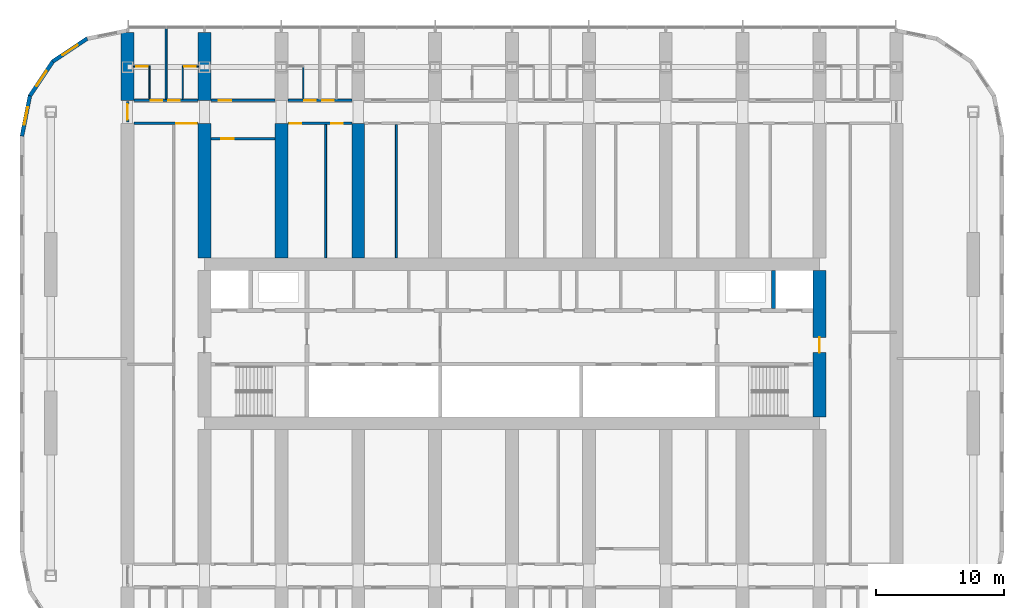
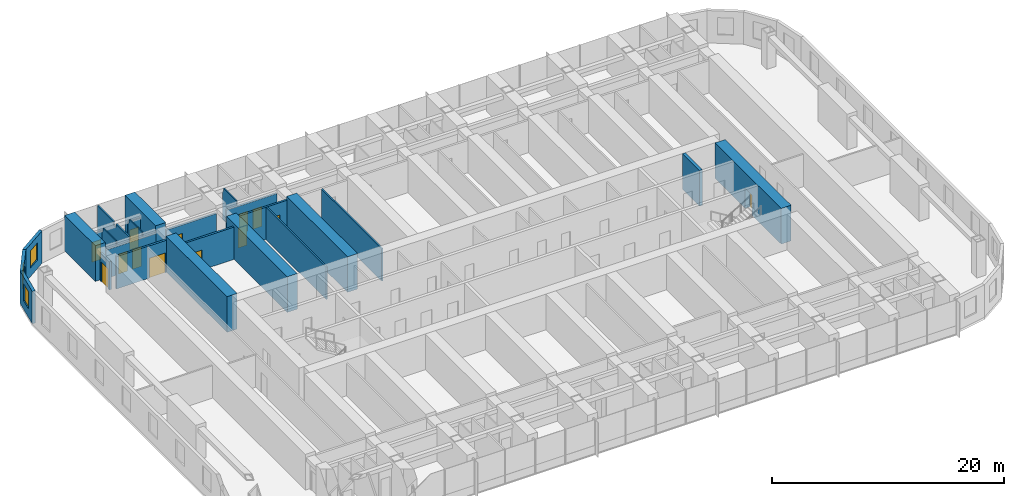
# One storey, part 14 of 23: 25 walls, 13 doors, 3 windows, 16 openings.
"""IFC4 building model written with IfcOpenShell, lengths in metres."""

from ifc_helpers import new_model, si_unit, direction, frame, frame_2d, origin, place, context, subcontext, project, spatial, polyline, rectangle, outline, extrude, material, layer, layer_set, type_object, element, fill, save


model = new_model("IFC4")

# Units and contexts
model_context = context("Model", 3, precision=1e-05, world=origin(), true_north=direction((0.0, 1.0)))
body_context = subcontext(model_context, "Body", "Model", "MODEL_VIEW")
ifc_project = project(units=[si_unit("LENGTHUNIT", "METRE"), si_unit("AREAUNIT", "SQUARE_METRE"), si_unit("VOLUMEUNIT", "CUBIC_METRE"), si_unit("PLANEANGLEUNIT", "RADIAN"), si_unit("MASSUNIT", "GRAM", prefix="KILO")], contexts=[model_context])

# Site, building, storey
site_placement = place(None, origin())
site = spatial("IfcSite", under=ifc_project, at=site_placement, CompositionType="ELEMENT")
building_placement = place(site_placement, origin())
building = spatial("IfcBuilding", under=site, at=building_placement, Name="Orbita Commons", CompositionType="ELEMENT")
storey_placement = place(building_placement, frame((0.0, 0.0, 65.199951171875)))
storey = spatial("IfcBuildingStorey", under=building, at=storey_placement, Name="L16", CompositionType="ELEMENT", Elevation=65.199951171875)

# Wall
ifc_material_1 = material(Name="Concrete C50/60", Category="concrete")
ifc_layer_1 = layer(ifc_material_1, 0.300048828125)
ifc_layer_set_1 = layer_set([ifc_layer_1], Name="Concrete C50/60")
wall_type_1 = type_object("IfcWallType", Name="Core inner wall 300 C50/60", PredefinedType="SHEAR", material=ifc_layer_set_1)
wall_1_placement = place(storey_placement, frame((62.39990234375, 34.75, 0.0), z_axis=(0.0, 0.0, 1.0), x_axis=(0.0, 1.0, 0.0)))
element("IfcWall", 1, at=wall_1_placement, inside=storey, type_object=wall_type_1, Name="Firefighting lift FL2 shaft wall L16", PredefinedType="SHEAR", context=body_context, shape_type="SweptSolid", body=[
    extrude(rectangle(XDim=2.949951171875, YDim=0.300048828125, at=frame_2d((1.47509765625, 0.0))), origin(), (0.0, 0.0, 1.0), 3.75),
])

# Wall, opening, door
ifc_material_2 = material(Name="Concrete C50/60", Category="concrete")
ifc_layer_2 = layer(ifc_material_2, 1.0)
ifc_layer_set_2 = layer_set([ifc_layer_2], Name="Concrete C50/60")
wall_type_2 = type_object("IfcWallType", Name="Core wall 1000 C50/60", PredefinedType="SHEAR", material=ifc_layer_set_2)
wall_2_placement = place(storey_placement, frame((66.0, 26.300048828125, 0.0), z_axis=(0.0, 0.0, 1.0), x_axis=(0.0, 1.0, 0.0)))
wall_2 = element("IfcWall", 2, at=wall_2_placement, inside=storey, type_object=wall_type_2, Name="Core end wall east L16", PredefinedType="SHEAR", context=body_context, shape_type="SweptSolid", body=[
    extrude(rectangle(XDim=11.39990234375, YDim=1.0, at=frame_2d((5.699951171875, 0.0))), origin(), (0.0, 0.0, 1.0), 3.75),
])
opening_1_placement = place(wall_2_placement, frame((5.0, 0.0, 0.0)))
opening_1 = element("IfcOpeningElement", 3, at=opening_1_placement, cuts=wall_2, Name="Opening D01", PredefinedType="OPENING", context=body_context, shape_type="SweptSolid", body=[
    extrude(rectangle(XDim=1.199951171875, YDim=2.10009765625, at=frame_2d((0.60009765625, 1.050048828125))), frame((0.0, 0.510009765625, 0.0), z_axis=(0.0, -1.0, 0.0), x_axis=(1.0, 0.0, 0.0)), (0.0, 0.0, 1.0), 1.02001953125),
])
ifc_material_3 = material(Name="Steel-faced fire door leaf", Category="steel")
door_type_1 = type_object("IfcDoorType", Name="Fire door 90 min 1200x2100", OperationType="SINGLE_SWING_LEFT", PredefinedType="DOOR", material=ifc_material_3)
door_1_placement = place(opening_1_placement, origin())
door_1 = element("IfcDoor", 4, at=door_1_placement, inside=storey, type_object=door_type_1, Name="Firefighting lobby east door", OperationType="SINGLE_SWING_LEFT", OverallHeight=2.10009765625, OverallWidth=1.199951171875, PredefinedType="DOOR", context=body_context, shape_type="SweptSolid", body=[
    extrude(rectangle(XDim=1.199951171875, YDim=2.10009765625, at=frame_2d((0.60009765625, 1.050048828125))), frame((0.0, 0.02490234375, 0.0), z_axis=(0.0, -1.0, 0.0), x_axis=(1.0, 0.0, 0.0)), (0.0, 0.0, 1.0), 0.050048828125),
])
fill(opening_1, door_1)

# Wall, openings, doors
ifc_material_4 = material(Name="Concrete blockwork", Category="masonry")
ifc_layer_3 = layer(ifc_material_4, 0.199951171875)
ifc_layer_set_3 = layer_set([ifc_layer_3], Name="Concrete blockwork")
wall_type_3 = type_object("IfcWallType", Name="Corridor wall 200 blockwork", PredefinedType="SOLIDWALL", material=ifc_layer_set_3)
wall_3_placement = place(storey_placement, frame((12.5, 51.0, 0.0), z_axis=(0.0, 0.0, 1.0), x_axis=(1.0, 0.0, 0.0)))
wall_3 = element("IfcWall", 5, at=wall_3_placement, inside=storey, type_object=wall_type_3, Name="Corridor wall 200 blockwork L16", PredefinedType="SOLIDWALL", context=body_context, shape_type="SweptSolid", body=[
    extrude(outline(polyline([(0.0, 0.0), (5.0, 0.0), (5.0, 3.0), (0.0, 3.0), (0.0, 0.0)])), frame((0.0, 0.10009765625, 0.0), z_axis=(0.0, -1.0, 0.0), x_axis=(1.0, 0.0, 0.0)), (0.0, 0.0, 1.0), 0.199951171875),
])
opening_2_placement = place(wall_3_placement, frame((1.300048828125, 0.0, 0.0)))
opening_2 = element("IfcOpeningElement", 6, at=opening_2_placement, cuts=wall_3, Name="Opening D11", PredefinedType="OPENING", context=body_context, shape_type="SweptSolid", body=[
    extrude(rectangle(XDim=0.89990234375, YDim=2.10009765625, at=frame_2d((0.449951171875, 1.050048828125))), frame((0.0, 0.10986328125, 0.0), z_axis=(0.0, -1.0, 0.0), x_axis=(1.0, 0.0, 0.0)), (0.0, 0.0, 1.0), 0.219970703125),
])
opening_3_placement = place(wall_3_placement, frame((2.675048828125, 0.0, 0.0)))
opening_3 = element("IfcOpeningElement", 7, at=opening_3_placement, cuts=wall_3, Name="Opening D11", PredefinedType="OPENING", context=body_context, shape_type="SweptSolid", body=[
    extrude(rectangle(XDim=0.89990234375, YDim=2.10009765625, at=frame_2d((0.449951171875, 1.050048828125))), frame((0.0, 0.10986328125, 0.0), z_axis=(0.0, -1.0, 0.0), x_axis=(1.0, 0.0, 0.0)), (0.0, 0.0, 1.0), 0.219970703125),
])
ifc_material_5 = material(Name="Steel-faced fire door leaf", Category="steel")
door_type_2 = type_object("IfcDoorType", Name="Corridor door 20 min 900x2100", OperationType="SINGLE_SWING_LEFT", PredefinedType="DOOR", material=ifc_material_5)
door_2_placement = place(opening_2_placement, origin())
door_2 = element("IfcDoor", 8, at=door_2_placement, inside=storey, type_object=door_type_2, Name="House bedroom L16-N00 door", OperationType="SINGLE_SWING_LEFT", OverallHeight=2.10009765625, OverallWidth=0.89990234375, PredefinedType="DOOR", context=body_context, shape_type="SweptSolid", body=[
    extrude(rectangle(XDim=0.89990234375, YDim=2.10009765625, at=frame_2d((0.449951171875, 1.050048828125))), frame((0.0, 0.02490234375, 0.0), z_axis=(0.0, -1.0, 0.0), x_axis=(1.0, 0.0, 0.0)), (0.0, 0.0, 1.0), 0.050048828125),
])
fill(opening_2, door_2)
door_3_placement = place(opening_3_placement, origin())
door_3 = element("IfcDoor", 9, at=door_3_placement, inside=storey, type_object=door_type_2, Name="House bedroom L16-N01 door", OperationType="SINGLE_SWING_LEFT", OverallHeight=2.10009765625, OverallWidth=0.89990234375, PredefinedType="DOOR", context=body_context, shape_type="SweptSolid", body=[
    extrude(rectangle(XDim=0.89990234375, YDim=2.10009765625, at=frame_2d((0.449951171875, 1.050048828125))), frame((0.0, 0.02490234375, 0.0), z_axis=(0.0, -1.0, 0.0), x_axis=(1.0, 0.0, 0.0)), (0.0, 0.0, 1.0), 0.050048828125),
])
fill(opening_3, door_3)

# Wall, opening, door
wall_4_placement = place(storey_placement, frame((18.5, 51.0, 0.0), z_axis=(0.0, 0.0, 1.0), x_axis=(1.0, 0.0, 0.0)))
wall_4 = element("IfcWall", 10, at=wall_4_placement, inside=storey, type_object=wall_type_3, Name="Corridor wall 200 blockwork L16", PredefinedType="SOLIDWALL", context=body_context, shape_type="SweptSolid", body=[
    extrude(outline(polyline([(0.0, 0.0), (5.0, 0.0), (5.0, 3.0), (0.0, 3.0), (0.0, 0.0)])), frame((0.0, 0.10009765625, 0.0), z_axis=(0.0, -1.0, 0.0), x_axis=(1.0, 0.0, 0.0)), (0.0, 0.0, 1.0), 0.199951171875),
])
opening_4_placement = place(wall_4_placement, frame((0.60009765625, 0.0, 0.0)))
opening_4 = element("IfcOpeningElement", 11, at=opening_4_placement, cuts=wall_4, Name="Opening D06", PredefinedType="OPENING", context=body_context, shape_type="SweptSolid", body=[
    extrude(rectangle(XDim=1.0, YDim=2.10009765625, at=frame_2d((0.5, 1.050048828125))), frame((0.0, 0.10986328125, 0.0), z_axis=(0.0, -1.0, 0.0), x_axis=(1.0, 0.0, 0.0)), (0.0, 0.0, 1.0), 0.219970703125),
])
ifc_material_6 = material(Name="Steel-faced fire door leaf", Category="steel")
door_type_3 = type_object("IfcDoorType", Name="Corridor door 20 min 1000x2100", OperationType="SINGLE_SWING_LEFT", PredefinedType="DOOR", material=ifc_material_6)
door_4_placement = place(opening_4_placement, origin())
door_4 = element("IfcDoor", 12, at=door_4_placement, inside=storey, type_object=door_type_3, Name="House common room L16-N02 door", OperationType="SINGLE_SWING_LEFT", OverallHeight=2.10009765625, OverallWidth=1.0, PredefinedType="DOOR", context=body_context, shape_type="SweptSolid", body=[
    extrude(rectangle(XDim=1.0, YDim=2.10009765625, at=frame_2d((0.5, 1.050048828125))), frame((0.0, 0.02490234375, 0.0), z_axis=(0.0, -1.0, 0.0), x_axis=(1.0, 0.0, 0.0)), (0.0, 0.0, 1.0), 0.050048828125),
])
fill(opening_4, door_4)

# Wall, openings, doors
wall_5_placement = place(storey_placement, frame((24.5, 51.0, 0.0), z_axis=(0.0, 0.0, 1.0), x_axis=(1.0, 0.0, 0.0)))
wall_5 = element("IfcWall", 13, at=wall_5_placement, inside=storey, type_object=wall_type_3, Name="Corridor wall 200 blockwork L16", PredefinedType="SOLIDWALL", context=body_context, shape_type="SweptSolid", body=[
    extrude(outline(polyline([(0.0, 0.0), (5.0, 0.0), (5.0, 3.0), (0.0, 3.0), (0.0, 0.0)])), frame((0.0, 0.10009765625, 0.0), z_axis=(0.0, -1.0, 0.0), x_axis=(1.0, 0.0, 0.0)), (0.0, 0.0, 1.0), 0.199951171875),
])
opening_5_placement = place(wall_5_placement, frame((1.300048828125, 0.0, 0.0)))
opening_5 = element("IfcOpeningElement", 14, at=opening_5_placement, cuts=wall_5, Name="Opening D11", PredefinedType="OPENING", context=body_context, shape_type="SweptSolid", body=[
    extrude(rectangle(XDim=0.89990234375, YDim=2.10009765625, at=frame_2d((0.449951171875, 1.050048828125))), frame((0.0, 0.10986328125, 0.0), z_axis=(0.0, -1.0, 0.0), x_axis=(1.0, 0.0, 0.0)), (0.0, 0.0, 1.0), 0.219970703125),
])
opening_6_placement = place(wall_5_placement, frame((2.675048828125, 0.0, 0.0)))
opening_6 = element("IfcOpeningElement", 15, at=opening_6_placement, cuts=wall_5, Name="Opening D11", PredefinedType="OPENING", context=body_context, shape_type="SweptSolid", body=[
    extrude(rectangle(XDim=0.89990234375, YDim=2.10009765625, at=frame_2d((0.449951171875, 1.050048828125))), frame((0.0, 0.10986328125, 0.0), z_axis=(0.0, -1.0, 0.0), x_axis=(1.0, 0.0, 0.0)), (0.0, 0.0, 1.0), 0.219970703125),
])
door_5_placement = place(opening_5_placement, origin())
door_5 = element("IfcDoor", 16, at=door_5_placement, inside=storey, type_object=door_type_2, Name="House bedroom L16-N04 door", OperationType="SINGLE_SWING_LEFT", OverallHeight=2.10009765625, OverallWidth=0.89990234375, PredefinedType="DOOR", context=body_context, shape_type="SweptSolid", body=[
    extrude(rectangle(XDim=0.89990234375, YDim=2.10009765625, at=frame_2d((0.449951171875, 1.050048828125))), frame((0.0, 0.02490234375, 0.0), z_axis=(0.0, -1.0, 0.0), x_axis=(1.0, 0.0, 0.0)), (0.0, 0.0, 1.0), 0.050048828125),
])
fill(opening_5, door_5)
door_6_placement = place(opening_6_placement, origin())
door_6 = element("IfcDoor", 17, at=door_6_placement, inside=storey, type_object=door_type_2, Name="House bedroom L16-N05 door", OperationType="SINGLE_SWING_LEFT", OverallHeight=2.10009765625, OverallWidth=0.89990234375, PredefinedType="DOOR", context=body_context, shape_type="SweptSolid", body=[
    extrude(rectangle(XDim=0.89990234375, YDim=2.10009765625, at=frame_2d((0.449951171875, 1.050048828125))), frame((0.0, 0.02490234375, 0.0), z_axis=(0.0, -1.0, 0.0), x_axis=(1.0, 0.0, 0.0)), (0.0, 0.0, 1.0), 0.050048828125),
])
fill(opening_6, door_6)

# Wall, opening, door
wall_6_placement = place(storey_placement, frame((12.0, 49.300048828125, 0.0), z_axis=(0.0, 0.0, 1.0), x_axis=(0.0, 1.0, 0.0)))
wall_6 = element("IfcWall", 18, at=wall_6_placement, inside=storey, type_object=wall_type_3, Name="Corridor wall 200 blockwork L16", PredefinedType="SOLIDWALL", context=body_context, shape_type="SweptSolid", body=[
    extrude(outline(polyline([(0.0, 0.0), (1.599853515625, 0.0), (1.60009765625, 2.949951171875), (0.0, 2.949951171875), (0.0, 0.0)])), frame((0.0, 0.10009765625, 0.0), z_axis=(0.0, -1.0, 0.0), x_axis=(1.0, 0.0, 0.0)), (0.0, 0.0, 1.0), 0.199951171875),
])
opening_7_placement = place(wall_6_placement, frame((0.199951171875, 0.0, 0.0)))
opening_7 = element("IfcOpeningElement", 19, at=opening_7_placement, cuts=wall_6, Name="Opening D12", PredefinedType="OPENING", context=body_context, shape_type="SweptSolid", body=[
    extrude(rectangle(XDim=1.199951171875, YDim=2.10009765625, at=frame_2d((0.60009765625, 1.050048828125))), frame((0.0, 0.10986328125, 0.0), z_axis=(0.0, -1.0, 0.0), x_axis=(1.0, 0.0, 0.0)), (0.0, 0.0, 1.0), 0.219970703125),
])
ifc_material_7 = material(Name="Steel-faced fire door leaf", Category="steel")
door_type_4 = type_object("IfcDoorType", Name="Double corridor door 20 min 1200x2100", OperationType="DOUBLE_DOOR_SINGLE_SWING", PredefinedType="DOOR", material=ifc_material_7)
door_7_placement = place(opening_7_placement, origin())
door_7 = element("IfcDoor", 20, at=door_7_placement, inside=storey, type_object=door_type_4, Name="Lounge doors", OperationType="DOUBLE_DOOR_SINGLE_SWING", OverallHeight=2.10009765625, OverallWidth=1.199951171875, PredefinedType="DOOR", context=body_context, shape_type="SweptSolid", body=[
    extrude(rectangle(XDim=1.199951171875, YDim=2.10009765625, at=frame_2d((0.60009765625, 1.050048828125))), frame((0.0, 0.02490234375, 0.0), z_axis=(0.0, -1.0, 0.0), x_axis=(1.0, 0.0, 0.0)), (0.0, 0.0, 1.0), 0.050048828125),
])
fill(opening_7, door_7)

ifc_material_8 = material(Name="Hollow concrete block 200", Category="concrete")
ifc_layer_4 = layer(ifc_material_8, 0.199951171875)
ifc_layer_set_4 = layer_set([ifc_layer_4], Name="Hollow concrete block 200")
wall_type_4 = type_object("IfcWallType", Name="Corridor wall 200 hollow concrete block", PredefinedType="SOLIDWALL", material=ifc_layer_set_4)
wall_7_placement = place(storey_placement, frame((12.5, 49.199951171875, 0.0), z_axis=(0.0, 0.0, 1.0), x_axis=(1.0, 0.0, 0.0)))
wall_7 = element("IfcWall", 21, at=wall_7_placement, inside=storey, type_object=wall_type_4, Name="Corridor wall 200 hollow concrete block L16", PredefinedType="SOLIDWALL", context=body_context, shape_type="SweptSolid", body=[
    extrude(rectangle(XDim=5.0, YDim=0.199951171875, at=frame_2d((2.5, 0.0))), origin(), (0.0, 0.0, 1.0), 3.400146484375),
])
opening_8_placement = place(wall_7_placement, frame((3.300048828125, 0.0, 0.0)))
opening_8 = element("IfcOpeningElement", 22, at=opening_8_placement, cuts=wall_7, Name="Opening D10", PredefinedType="OPENING", context=body_context, shape_type="SweptSolid", body=[
    extrude(rectangle(XDim=1.60009765625, YDim=2.10009765625, at=frame_2d((0.800048828125, 1.050048828125))), frame((0.0, 0.10986328125, 0.0), z_axis=(0.0, -1.0, 0.0), x_axis=(1.0, 0.0, 0.0)), (0.0, 0.0, 1.0), 0.219970703125),
])
ifc_material_9 = material(Name="Steel-faced fire door leaf", Category="steel")
door_type_5 = type_object("IfcDoorType", Name="Double corridor door 20 min 1600x2100", OperationType="DOUBLE_DOOR_SINGLE_SWING", PredefinedType="DOOR", material=ifc_material_9)
door_8_placement = place(opening_8_placement, origin())
door_8 = element("IfcDoor", 23, at=door_8_placement, inside=storey, type_object=door_type_5, Name="Cross corridor doors", OperationType="DOUBLE_DOOR_SINGLE_SWING", OverallHeight=2.10009765625, OverallWidth=1.60009765625, PredefinedType="DOOR", context=body_context, shape_type="SweptSolid", body=[
    extrude(rectangle(XDim=1.60009765625, YDim=2.10009765625, at=frame_2d((0.800048828125, 1.050048828125))), frame((0.0, 0.02490234375, 0.0), z_axis=(0.0, -1.0, 0.0), x_axis=(1.0, 0.0, 0.0)), (0.0, 0.0, 1.0), 0.050048828125),
])
fill(opening_8, door_8)

# Wall, openings, doors
wall_8_placement = place(storey_placement, frame((24.5, 49.199951171875, 0.0), z_axis=(0.0, 0.0, 1.0), x_axis=(1.0, 0.0, 0.0)))
wall_8 = element("IfcWall", 24, at=wall_8_placement, inside=storey, type_object=wall_type_4, Name="Corridor wall 200 hollow concrete block L16", PredefinedType="SOLIDWALL", context=body_context, shape_type="SweptSolid", body=[
    extrude(rectangle(XDim=5.0, YDim=0.199951171875, at=frame_2d((2.5, 0.0))), origin(), (0.0, 0.0, 1.0), 3.400146484375),
])
opening_9_placement = place(wall_8_placement, frame((0.14990234375, 0.0, 0.0)))
opening_9 = element("IfcOpeningElement", 25, at=opening_9_placement, cuts=wall_8, Name="Opening D11", PredefinedType="OPENING", context=body_context, shape_type="SweptSolid", body=[
    extrude(rectangle(XDim=0.89990234375, YDim=2.10009765625, at=frame_2d((0.449951171875, 1.050048828125))), frame((0.0, 0.10986328125, 0.0), z_axis=(0.0, -1.0, 0.0), x_axis=(1.0, 0.0, 0.0)), (0.0, 0.0, 1.0), 0.219970703125),
])
opening_10_placement = place(wall_8_placement, frame((3.375, 0.0, 0.0)))
opening_10 = element("IfcOpeningElement", 26, at=opening_10_placement, cuts=wall_8, Name="Opening D11", PredefinedType="OPENING", context=body_context, shape_type="SweptSolid", body=[
    extrude(rectangle(XDim=0.89990234375, YDim=2.10009765625, at=frame_2d((0.449951171875, 1.050048828125))), frame((0.0, 0.10986328125, 0.0), z_axis=(0.0, -1.0, 0.0), x_axis=(1.0, 0.0, 0.0)), (0.0, 0.0, 1.0), 0.219970703125),
])
door_9_placement = place(opening_9_placement, origin())
door_9 = element("IfcDoor", 27, at=door_9_placement, inside=storey, type_object=door_type_2, Name="Ventilation plant room north L16-BDN24 door", OperationType="SINGLE_SWING_LEFT", OverallHeight=2.10009765625, OverallWidth=0.89990234375, PredefinedType="DOOR", context=body_context, shape_type="SweptSolid", body=[
    extrude(rectangle(XDim=0.89990234375, YDim=2.10009765625, at=frame_2d((0.449951171875, 1.050048828125))), frame((0.0, 0.02490234375, 0.0), z_axis=(0.0, -1.0, 0.0), x_axis=(1.0, 0.0, 0.0)), (0.0, 0.0, 1.0), 0.050048828125),
])
fill(opening_9, door_9)
door_10_placement = place(opening_10_placement, origin())
door_10 = element("IfcDoor", 28, at=door_10_placement, inside=storey, type_object=door_type_2, Name="Battery and UPS room L16-BDN24n door", OperationType="SINGLE_SWING_LEFT", OverallHeight=2.10009765625, OverallWidth=0.89990234375, PredefinedType="DOOR", context=body_context, shape_type="SweptSolid", body=[
    extrude(rectangle(XDim=0.89990234375, YDim=2.10009765625, at=frame_2d((0.449951171875, 1.050048828125))), frame((0.0, 0.02490234375, 0.0), z_axis=(0.0, -1.0, 0.0), x_axis=(1.0, 0.0, 0.0)), (0.0, 0.0, 1.0), 0.050048828125),
])
fill(opening_10, door_10)

# Wall, opening, door
wall_9_placement = place(storey_placement, frame((18.5, 48.0, 0.0), z_axis=(0.0, 0.0, 1.0), x_axis=(1.0, 0.0, 0.0)))
wall_9 = element("IfcWall", 29, at=wall_9_placement, inside=storey, type_object=wall_type_4, Name="Corridor wall 200 hollow concrete block L16", PredefinedType="SOLIDWALL", context=body_context, shape_type="SweptSolid", body=[
    extrude(rectangle(XDim=5.0, YDim=0.199951171875, at=frame_2d((2.5, 0.0))), origin(), (0.0, 0.0, 1.0), 3.400146484375),
])
opening_11_placement = place(wall_9_placement, frame((0.800048828125, 0.0, 0.0)))
opening_11 = element("IfcOpeningElement", 30, at=opening_11_placement, cuts=wall_9, Name="Opening D06", PredefinedType="OPENING", context=body_context, shape_type="SweptSolid", body=[
    extrude(rectangle(XDim=1.0, YDim=2.10009765625, at=frame_2d((0.5, 1.050048828125))), frame((0.0, 0.10986328125, 0.0), z_axis=(0.0, -1.0, 0.0), x_axis=(1.0, 0.0, 0.0)), (0.0, 0.0, 1.0), 0.219970703125),
])
door_11_placement = place(opening_11_placement, origin())
door_11 = element("IfcDoor", 31, at=door_11_placement, inside=storey, type_object=door_type_3, Name="Drying room L16-BDN18 door", OperationType="SINGLE_SWING_LEFT", OverallHeight=2.10009765625, OverallWidth=1.0, PredefinedType="DOOR", context=body_context, shape_type="SweptSolid", body=[
    extrude(rectangle(XDim=1.0, YDim=2.10009765625, at=frame_2d((0.5, 1.050048828125))), frame((0.0, 0.02490234375, 0.0), z_axis=(0.0, -1.0, 0.0), x_axis=(1.0, 0.0, 0.0)), (0.0, 0.0, 1.0), 0.050048828125),
])
fill(opening_11, door_11)

# Walls
ifc_material_10 = material(Name="Concrete C50/60", Category="concrete")
ifc_layer_5 = layer(ifc_material_10, 1.0)
ifc_layer_set_5 = layer_set([ifc_layer_5], Name="Concrete C50/60")
wall_type_5 = type_object("IfcWallType", Name="Cross wall 1000 C50/60", PredefinedType="SHEAR", material=ifc_layer_set_5)
for number, where, z_axis, x_axis, name in (
    (32, (12.0, 51.0, 0.0), (0.0, 0.0, 1.0), (0.0, 1.0, 0.0), "Cross wall 3 north outer L16"),
    (33, (18.0, 51.0, 0.0), (0.0, 0.0, 1.0), (0.0, 1.0, 0.0), "Cross wall 4 north outer L16"),
):
    element("IfcWall", number, at=place(storey_placement, frame(where, z_axis=z_axis, x_axis=x_axis)), inside=storey, type_object=wall_type_5, Name=name, PredefinedType="SHEAR", context=body_context, shape_type="SweptSolid", body=[
        extrude(rectangle(XDim=5.300048828125, YDim=1.0, at=frame_2d((2.64990234375, 0.0))), origin(), (0.0, 0.0, 1.0), 3.75),
    ])
for number, where, z_axis, x_axis, name in (
    (34, (18.0, 38.699951171875, 0.0), (0.0, 0.0, 1.0), (0.0, 1.0, 0.0), "Cross wall 4 north inner L16"),
    (35, (24.0, 38.699951171875, 0.0), (0.0, 0.0, 1.0), (0.0, 1.0, 0.0), "Cross wall 5 north inner L16"),
    (36, (30.0, 38.699951171875, 0.0), (0.0, 0.0, 1.0), (0.0, 1.0, 0.0), "Cross wall 6 north inner L16"),
):
    element("IfcWall", number, at=place(storey_placement, frame(where, z_axis=z_axis, x_axis=x_axis)), inside=storey, type_object=wall_type_5, Name=name, PredefinedType="SHEAR", context=body_context, shape_type="SweptSolid", body=[
        extrude(rectangle(XDim=10.5, YDim=1.0, at=frame_2d((5.25, 0.0))), origin(), (0.0, 0.0, 1.0), 3.75),
    ])

# Wall, opening, door
ifc_material_11 = material(Name="Moisture-resistant plasterboard on steel studs", Category="steel")
ifc_layer_6 = layer(ifc_material_11, 0.10009765625)
ifc_layer_set_6 = layer_set([ifc_layer_6], Name="Moisture-resistant plasterboard on steel studs")
wall_type_6 = type_object("IfcWallType", Name="En-suite partition 100", PredefinedType="PARTITIONING", material=ifc_layer_set_6)
wall_10_placement = place(storey_placement, frame((12.449951171875, 53.6416015625, 0.0), z_axis=(0.0, 0.0, 1.0), x_axis=(1.0, 0.0, 0.0)))
wall_10 = element("IfcWall", 37, at=wall_10_placement, inside=storey, type_object=wall_type_6, Name="En-suite partition 100 L16", PredefinedType="PARTITIONING", context=body_context, shape_type="SweptSolid", body=[
    extrude(outline(polyline([(0.0, 0.0), (1.300048828125, 0.0), (1.300048828125, 3.0), (0.0, 3.0), (0.0, 0.0)])), frame((0.0, 0.050048828125, 0.0), z_axis=(0.0, -1.0, 0.0), x_axis=(1.0, 0.0, 0.0)), (0.0, 0.0, 1.0), 0.10009765625),
])
opening_12_placement = place(wall_10_placement, frame((0.22509765625, 0.0, 0.0)))
opening_12 = element("IfcOpeningElement", 38, at=opening_12_placement, cuts=wall_10, Name="Opening D09", PredefinedType="OPENING", context=body_context, shape_type="SweptSolid", body=[
    extrude(rectangle(XDim=0.89990234375, YDim=2.10009765625, at=frame_2d((0.449951171875, 1.050048828125))), frame((0.0, 0.06005859375, 0.0), z_axis=(0.0, -1.0, 0.0), x_axis=(1.0, 0.0, 0.0)), (0.0, 0.0, 1.0), 0.1201171875),
])
ifc_material_12 = material(Name="Laminated timber door leaf", Category="wood")
door_type_6 = type_object("IfcDoorType", Name="En-suite door 900x2100", OperationType="SINGLE_SWING_RIGHT", PredefinedType="DOOR", material=ifc_material_12)
door_12_placement = place(opening_12_placement, origin())
door_12 = element("IfcDoor", 39, at=door_12_placement, inside=storey, type_object=door_type_6, Name="En-suite L16-N00 door", OperationType="SINGLE_SWING_RIGHT", OverallHeight=2.10009765625, OverallWidth=0.89990234375, PredefinedType="DOOR", context=body_context, shape_type="SweptSolid", body=[
    extrude(rectangle(XDim=0.89990234375, YDim=2.10009765625, at=frame_2d((0.449951171875, 1.050048828125))), frame((0.0, 0.02490234375, 0.0), z_axis=(0.0, -1.0, 0.0), x_axis=(1.0, 0.0, 0.0)), (0.0, 0.0, 1.0), 0.050048828125),
])
fill(opening_12, door_12)

# Wall
wall_11_placement = place(storey_placement, frame((13.699951171875, 53.591796875, 0.0), z_axis=(0.0, 0.0, 1.0), x_axis=(0.0, -1.0, 0.0)))
element("IfcWall", 40, at=wall_11_placement, inside=storey, type_object=wall_type_6, Name="En-suite partition 100 L16", PredefinedType="PARTITIONING", context=body_context, shape_type="SweptSolid", body=[
    extrude(outline(polyline([(0.0, 0.0), (2.49169921875, 0.0), (2.49169921875, 3.0), (2.443603515625, 3.0), (2.441650390625, 3.400146484375), (0.193603515625, 3.400146484375), (0.191650390625, 3.0), (0.0, 3.0), (0.0, 0.0)])), frame((0.0, 0.050048828125, 0.0), z_axis=(0.0, -1.0, 0.0), x_axis=(1.0, 0.0, 0.0)), (0.0, 0.0, 1.0), 0.10009765625),
])

# Wall, opening, door
wall_12_placement = place(storey_placement, frame((16.25, 53.6416015625, 0.0), z_axis=(0.0, 0.0, 1.0), x_axis=(1.0, 0.0, 0.0)))
wall_12 = element("IfcWall", 41, at=wall_12_placement, inside=storey, type_object=wall_type_6, Name="En-suite partition 100 L16", PredefinedType="PARTITIONING", context=body_context, shape_type="SweptSolid", body=[
    extrude(outline(polyline([(0.0, 0.0), (1.300048828125, 0.0), (1.300048828125, 3.0), (0.0, 3.0), (0.0, 0.0)])), frame((0.0, 0.050048828125, 0.0), z_axis=(0.0, -1.0, 0.0), x_axis=(1.0, 0.0, 0.0)), (0.0, 0.0, 1.0), 0.10009765625),
])
opening_13_placement = place(wall_12_placement, frame((0.175048828125, 0.0, 0.0)))
opening_13 = element("IfcOpeningElement", 42, at=opening_13_placement, cuts=wall_12, Name="Opening D09", PredefinedType="OPENING", context=body_context, shape_type="SweptSolid", body=[
    extrude(rectangle(XDim=0.89990234375, YDim=2.10009765625, at=frame_2d((0.449951171875, 1.050048828125))), frame((0.0, 0.06005859375, 0.0), z_axis=(0.0, -1.0, 0.0), x_axis=(1.0, 0.0, 0.0)), (0.0, 0.0, 1.0), 0.1201171875),
])
door_13_placement = place(opening_13_placement, origin())
door_13 = element("IfcDoor", 43, at=door_13_placement, inside=storey, type_object=door_type_6, Name="En-suite L16-N01 door", OperationType="SINGLE_SWING_RIGHT", OverallHeight=2.10009765625, OverallWidth=0.89990234375, PredefinedType="DOOR", context=body_context, shape_type="SweptSolid", body=[
    extrude(rectangle(XDim=0.89990234375, YDim=2.10009765625, at=frame_2d((0.449951171875, 1.050048828125))), frame((0.0, 0.02490234375, 0.0), z_axis=(0.0, -1.0, 0.0), x_axis=(1.0, 0.0, 0.0)), (0.0, 0.0, 1.0), 0.050048828125),
])
fill(opening_13, door_13)

# Walls
for number, where, z_axis, x_axis, name in (
    (44, (16.300048828125, 53.591796875, 0.0), (0.0, 0.0, 1.0), (0.0, -1.0, 0.0), "En-suite partition 100 L16"),
    (45, (25.699951171875, 53.591796875, 0.0), (0.0, 0.0, 1.0), (0.0, -1.0, 0.0), "En-suite partition 100 L16"),
):
    element("IfcWall", number, at=place(storey_placement, frame(where, z_axis=z_axis, x_axis=x_axis)), inside=storey, type_object=wall_type_6, Name=name, PredefinedType="PARTITIONING", context=body_context, shape_type="SweptSolid", body=[
        extrude(outline(polyline([(0.0, 0.0), (2.49169921875, 0.0), (2.49169921875, 3.0), (2.443603515625, 3.0), (2.441650390625, 3.400146484375), (0.193603515625, 3.400146484375), (0.191650390625, 3.0), (0.0, 3.0), (0.0, 0.0)])), frame((0.0, 0.050048828125, 0.0), z_axis=(0.0, -1.0, 0.0), x_axis=(1.0, 0.0, 0.0)), (0.0, 0.0, 1.0), 0.10009765625),
    ])
ifc_material_13 = material(Name="Gypsum plasterboard on steel studs", Category="steel")
ifc_layer_7 = layer(ifc_material_13, 0.14990234375)
ifc_layer_set_7 = layer_set([ifc_layer_7], Name="Gypsum plasterboard on steel studs")
wall_type_7 = type_object("IfcWallType", Name="Partition 150 plasterboard", PredefinedType="PARTITIONING", material=ifc_layer_set_7)
for number, where, z_axis, x_axis, name in (
    (46, (27.449951171875, 38.699951171875, 0.0), (0.0, 0.0, 1.0), (0.0, 1.0, 0.0), "Partition 150 plasterboard L16"),
    (47, (32.969970703125, 38.699951171875, 0.0), (0.0, 0.0, 1.0), (0.0, 1.0, 0.0), "Partition 150 plasterboard L16"),
):
    element("IfcWall", number, at=place(storey_placement, frame(where, z_axis=z_axis, x_axis=x_axis)), inside=storey, type_object=wall_type_7, Name=name, PredefinedType="PARTITIONING", context=body_context, shape_type="SweptSolid", body=[
        extrude(rectangle(XDim=10.400146484375, YDim=0.14990234375, at=frame_2d((5.2001953125, 0.0))), origin(), (0.0, 0.0, 1.0), 3.400146484375),
    ])
ifc_material_14 = material(Name="Gypsum plasterboard on steel studs", Category="steel")
ifc_layer_8 = layer(ifc_material_14, 0.14990234375)
ifc_layer_set_8 = layer_set([ifc_layer_8], Name="Gypsum plasterboard on steel studs")
wall_type_8 = type_object("IfcWallType", Name="Party wall 150 plasterboard", PredefinedType="PARTITIONING", material=ifc_layer_set_8)
wall_13_placement = place(storey_placement, frame((15.0, 56.590087890625, 0.0), z_axis=(0.0, 0.0, 1.0), x_axis=(0.0, -1.0, 0.0)))
element("IfcWall", 48, at=wall_13_placement, inside=storey, type_object=wall_type_8, Name="Party wall 150 plasterboard L16", PredefinedType="PARTITIONING", context=body_context, shape_type="SweptSolid", body=[
    extrude(outline(polyline([(0.0, 0.0), (5.489990234375, 0.0), (5.489990234375, 3.0), (5.44189453125, 3.0), (5.43994140625, 3.400146484375), (3.19189453125, 3.400146484375), (3.18994140625, 3.0), (2.7919921875, 3.0), (2.7900390625, 3.400146484375), (0.0, 3.400146484375), (0.0, 0.0)])), frame((0.0, 0.074951171875, 0.0), z_axis=(0.0, -1.0, 0.0), x_axis=(1.0, 0.0, 0.0)), (0.0, 0.0, 1.0), 0.14990234375),
])

# Wall, opening, window
ifc_material_15 = material(Name="Precast concrete C40/50, white board-marked finish", Category="concrete")
ifc_layer_9 = layer(ifc_material_15, 0.300048828125)
ifc_layer_set_9 = layer_set([ifc_layer_9], Name="Precast concrete C40/50, white board-marked finish")
wall_type_9 = type_object("IfcWallType", Name="Precast concrete end shield 300", PredefinedType="SOLIDWALL", material=ifc_layer_set_9)
wall_14_placement = place(storey_placement, frame((8.843017578125, 55.822021484375, 0.0), z_axis=(0.0, 0.0, 1.0), x_axis=(-0.831478105043, -0.555557522525, 0.0)))
wall_14 = element("IfcWall", 49, at=wall_14_placement, inside=storey, type_object=wall_type_9, Name="End shield NW chord 2 L16", PredefinedType="SOLIDWALL", context=body_context, shape_type="SweptSolid", body=[
    extrude(outline(polyline([(-0.02978515625, -0.14990234375), (3.248779296875, -0.14990234375), (3.189208984375, 0.14990234375), (0.02978515625, 0.14990234375), (-0.02978515625, -0.14990234375)])), origin(), (0.0, 0.0, 1.0), 3.400146484375),
])
opening_14_placement = place(wall_14_placement, frame((0.909423828125, 0.0, 0.89990234375)))
opening_14 = element("IfcOpeningElement", 50, at=opening_14_placement, cuts=wall_14, Name="Opening W02", PredefinedType="OPENING", context=body_context, shape_type="SweptSolid", body=[
    extrude(rectangle(XDim=1.39990234375, YDim=1.800048828125, at=frame_2d((0.699951171875, 0.89990234375))), frame((0.0, 0.159912109375, 0.0), z_axis=(0.0, -1.0, 0.0), x_axis=(1.0, 0.0, 0.0)), (0.0, 0.0, 1.0), 0.320068359375),
])
ifc_material_16 = material(Name="Aluminium frame, clear double glazing", Category="aluminium")
window_type = type_object("IfcWindowType", Name="Deep-set window 1400x1800", PartitioningType="SINGLE_PANEL", PredefinedType="WINDOW", material=ifc_material_16)
window_1_placement = place(opening_14_placement, origin())
window_1 = element("IfcWindow", 51, at=window_1_placement, inside=storey, type_object=window_type, Name="Window L16-NW1", OverallHeight=1.800048828125, OverallWidth=1.39990234375, PartitioningType="SINGLE_PANEL", PredefinedType="WINDOW", context=body_context, shape_type="SweptSolid", body=[
    extrude(rectangle(XDim=1.39990234375, YDim=1.800048828125, at=frame_2d((0.699951171875, 0.89990234375))), frame((0.0, 0.030029296875, 0.0), z_axis=(0.0, -1.0, 0.0), x_axis=(1.0, 0.0, 0.0)), (0.0, 0.0, 1.0), 0.06005859375),
])
fill(opening_14, window_1)

wall_15_placement = place(storey_placement, frame((6.16650390625, 54.03369140625, 0.0), z_axis=(0.0, 0.0, 1.0), x_axis=(-0.555609954424, -0.831443069936, 0.0)))
wall_15 = element("IfcWall", 52, at=wall_15_placement, inside=storey, type_object=wall_type_9, Name="End shield NW chord 3 L16", PredefinedType="SOLIDWALL", context=body_context, shape_type="SweptSolid", body=[
    extrude(outline(polyline([(-0.02978515625, -0.14990234375), (3.2490234375, -0.14990234375), (3.189453125, 0.14990234375), (0.02978515625, 0.14990234375), (-0.02978515625, -0.14990234375)])), origin(), (0.0, 0.0, 1.0), 3.400146484375),
])
opening_15_placement = place(wall_15_placement, frame((0.909423828125, 0.0, 0.89990234375)))
opening_15 = element("IfcOpeningElement", 53, at=opening_15_placement, cuts=wall_15, Name="Opening W02", PredefinedType="OPENING", context=body_context, shape_type="SweptSolid", body=[
    extrude(rectangle(XDim=1.39990234375, YDim=1.800048828125, at=frame_2d((0.699951171875, 0.89990234375))), frame((0.0, 0.159912109375, 0.0), z_axis=(0.0, -1.0, 0.0), x_axis=(1.0, 0.0, 0.0)), (0.0, 0.0, 1.0), 0.320068359375),
])
window_2_placement = place(opening_15_placement, origin())
window_2 = element("IfcWindow", 54, at=window_2_placement, inside=storey, type_object=window_type, Name="Window L16-NW2", OverallHeight=1.800048828125, OverallWidth=1.39990234375, PartitioningType="SINGLE_PANEL", PredefinedType="WINDOW", context=body_context, shape_type="SweptSolid", body=[
    extrude(rectangle(XDim=1.39990234375, YDim=1.800048828125, at=frame_2d((0.699951171875, 0.89990234375))), frame((0.0, 0.030029296875, 0.0), z_axis=(0.0, -1.0, 0.0), x_axis=(1.0, 0.0, 0.0)), (0.0, 0.0, 1.0), 0.06005859375),
])
fill(opening_15, window_2)

wall_16_placement = place(storey_placement, frame((4.3779296875, 51.357177734375, 0.0), z_axis=(0.0, 0.0, 1.0), x_axis=(-0.195065901187, -0.980790137692, 0.0)))
wall_16 = element("IfcWall", 55, at=wall_16_placement, inside=storey, type_object=wall_type_9, Name="End shield NW chord 4 L16", PredefinedType="SOLIDWALL", context=body_context, shape_type="SweptSolid", body=[
    extrude(outline(polyline([(-0.02978515625, -0.14990234375), (3.23388671875, -0.14990234375), (3.2041015625, 0.14990234375), (0.02978515625, 0.14990234375), (-0.02978515625, -0.14990234375)])), origin(), (0.0, 0.0, 1.0), 3.400146484375),
])
opening_16_placement = place(wall_16_placement, frame((0.909423828125, 0.0, 0.89990234375)))
opening_16 = element("IfcOpeningElement", 56, at=opening_16_placement, cuts=wall_16, Name="Opening W02", PredefinedType="OPENING", context=body_context, shape_type="SweptSolid", body=[
    extrude(rectangle(XDim=1.39990234375, YDim=1.800048828125, at=frame_2d((0.699951171875, 0.89990234375))), frame((0.0, 0.159912109375, 0.0), z_axis=(0.0, -1.0, 0.0), x_axis=(1.0, 0.0, 0.0)), (0.0, 0.0, 1.0), 0.320068359375),
])
window_3_placement = place(opening_16_placement, origin())
window_3 = element("IfcWindow", 57, at=window_3_placement, inside=storey, type_object=window_type, Name="Window L16-NW3", OverallHeight=1.800048828125, OverallWidth=1.39990234375, PartitioningType="SINGLE_PANEL", PredefinedType="WINDOW", context=body_context, shape_type="SweptSolid", body=[
    extrude(rectangle(XDim=1.39990234375, YDim=1.800048828125, at=frame_2d((0.699951171875, 0.89990234375))), frame((0.0, 0.030029296875, 0.0), z_axis=(0.0, -1.0, 0.0), x_axis=(1.0, 0.0, 0.0)), (0.0, 0.0, 1.0), 0.06005859375),
])
fill(opening_16, window_3)

save(model, "model.ifc")
